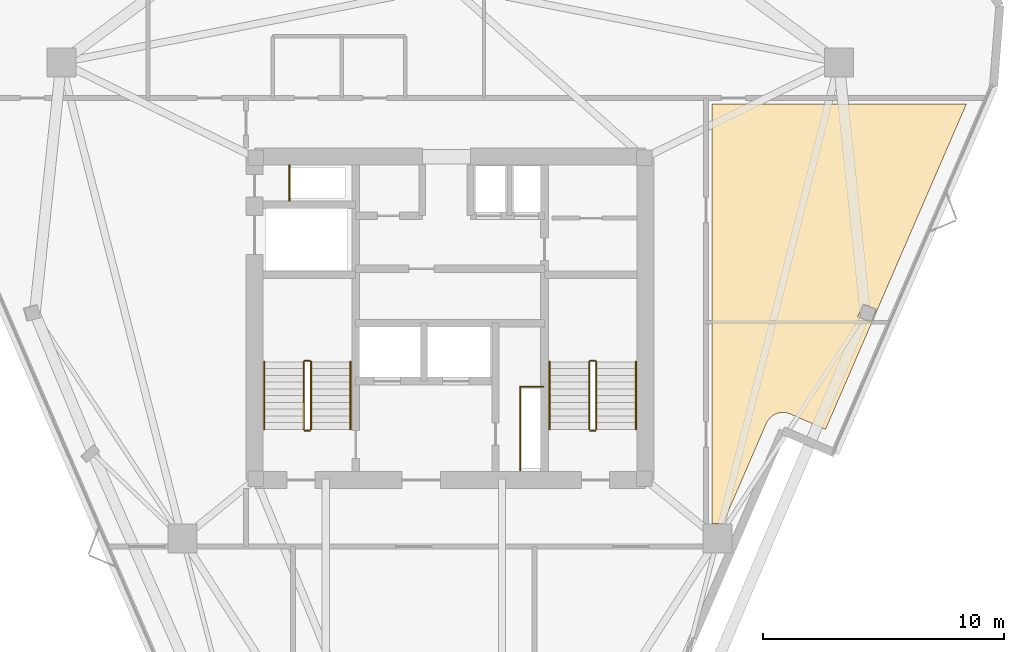
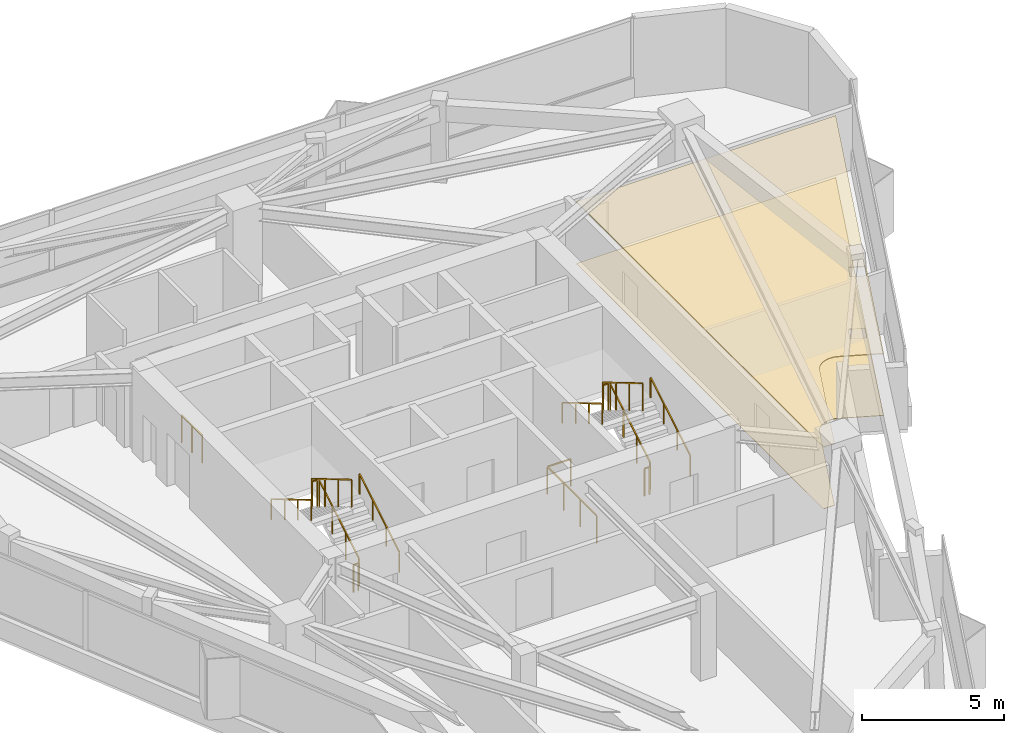
# One storey, part 10 of 10: 14 railings, 2 coverings.
"""IFC4 building model written with IfcOpenShell, lengths in metres."""

from ifc_helpers import new_model, si_unit, direction, frame, origin, origin_2d, place, context, subcontext, project, spatial, polyline, rectangle, outline, extrude, material, layer, layer_set, type_object, element, save


model = new_model("IFC4")

# Units and contexts
model_context = context("Model", 3, precision=1e-05, world=origin(), true_north=direction((0.0, 1.0)))
body_context = subcontext(model_context, "Body", "Model", "MODEL_VIEW")
ifc_project = project(units=[si_unit("LENGTHUNIT", "METRE"), si_unit("AREAUNIT", "SQUARE_METRE"), si_unit("VOLUMEUNIT", "CUBIC_METRE"), si_unit("PLANEANGLEUNIT", "RADIAN"), si_unit("MASSUNIT", "GRAM", prefix="KILO")], contexts=[model_context])

# Site, building, storey
site_placement = place(None, origin())
site = spatial("IfcSite", under=ifc_project, at=site_placement, CompositionType="ELEMENT")
building_placement = place(site_placement, origin())
building = spatial("IfcBuilding", under=site, at=building_placement, Name="Talyreon Biosciences Tower", CompositionType="ELEMENT")
storey_placement = place(building_placement, frame((0.0, 0.0, 257.14990234375)))
storey = spatial("IfcBuildingStorey", under=building, at=storey_placement, Name="L68", CompositionType="ELEMENT", Elevation=257.14990234375)

# Coverings
ifc_material_1 = material(Name="Cleanable acoustic mineral-fibre ceiling tile", Category="gypsum")
ifc_layer_1 = layer(ifc_material_1, 0.0400390625)
ifc_layer_set_1 = layer_set([ifc_layer_1], Name="Cleanable acoustic mineral-fibre ceiling tile")
covering_type_1 = type_object("IfcCoveringType", Name="AcousticCleanroomCeiling_40", PredefinedType="CEILING", material=ifc_layer_set_1)
covering_1_placement = place(storey_placement, frame((0.0, 0.0, 2.64013671875)))
element("IfcCovering", 1, at=covering_1_placement, inside=storey, type_object=covering_type_1, Name="L68 Acoustic Laboratory Ceiling", PredefinedType="CEILING", context=body_context, shape_type="SweptSolid", body=[
    extrude(outline(polyline([(80.086669921875, 64.038818359375), (80.017578125, 64.064697265625), (79.946533203125, 64.083740234375), (79.8740234375, 64.095703125), (79.800537109375, 64.1005859375), (79.72705078125, 64.09814453125), (79.654052734375, 64.08837890625), (79.58251953125, 64.07177734375), (79.5126953125, 64.048095703125), (79.445556640625, 64.017578125), (79.3818359375, 63.980712890625), (79.322021484375, 63.937744140625), (79.266845703125, 63.88916015625), (79.216552734375, 63.83544921875), (79.171875, 63.777099609375), (79.1328125, 63.714599609375), (79.100341796875, 63.6484375), (77.302734375, 59.495361328125), (76.85009765625, 59.495361328125), (76.85009765625, 76.8798828125), (87.387939453125, 76.8798828125), (81.554931640625, 63.4033203125), (80.086669921875, 64.038818359375)]), holes=[polyline([(83.42041015625, 67.83544921875), (83.65087890625, 68.36767578125), (83.11865234375, 68.59814453125), (82.88818359375, 68.06591796875), (83.42041015625, 67.83544921875)])]), origin(), (0.0, 0.0, 1.0), 0.0400390625),
])
ifc_material_2 = material(Name="Chemical-resistant seamless epoxy resin flooring", Category="plastic")
ifc_layer_2 = layer(ifc_material_2, 0.014892578125)
ifc_layer_set_2 = layer_set([ifc_layer_2], Name="Chemical-resistant seamless epoxy resin flooring")
covering_type_2 = type_object("IfcCoveringType", Name="SeamlessEpoxyLabFlooring_15", PredefinedType="FLOORING", material=ifc_layer_set_2)
covering_2_placement = place(storey_placement, origin())
element("IfcCovering", 2, at=covering_2_placement, inside=storey, type_object=covering_type_2, Name="L68 Laboratory Floor Finish", PredefinedType="FLOORING", context=body_context, shape_type="SweptSolid", body=[
    extrude(outline(polyline([(80.086669921875, 64.038818359375), (80.017578125, 64.064697265625), (79.946533203125, 64.083740234375), (79.8740234375, 64.095703125), (79.800537109375, 64.1005859375), (79.72705078125, 64.09814453125), (79.654052734375, 64.08837890625), (79.58251953125, 64.07177734375), (79.5126953125, 64.048095703125), (79.445556640625, 64.017578125), (79.3818359375, 63.980712890625), (79.322021484375, 63.937744140625), (79.266845703125, 63.88916015625), (79.216552734375, 63.83544921875), (79.171875, 63.777099609375), (79.1328125, 63.714599609375), (79.100341796875, 63.6484375), (77.302734375, 59.495361328125), (76.85009765625, 59.495361328125), (76.85009765625, 76.8798828125), (87.387939453125, 76.8798828125), (81.554931640625, 63.4033203125), (80.086669921875, 64.038818359375)]), holes=[polyline([(83.42041015625, 67.83544921875), (83.65087890625, 68.36767578125), (83.11865234375, 68.59814453125), (82.88818359375, 68.06591796875), (83.42041015625, 67.83544921875)])]), origin(), (0.0, 0.0, 1.0), 0.01513671875),
])

# Railings
ifc_material_3 = material(Name="Brushed stainless-steel tubular handrail", Category="steel")
railing_type_1 = type_object("IfcRailingType", Name="StairWallHandrail_900", PredefinedType="HANDRAIL", material=ifc_material_3)
railing_1_placement = place(storey_placement, frame((61.8798828125, 63.39990234375, 0.166015625)))
element("IfcRailing", 3, at=railing_1_placement, inside=storey, type_object=railing_type_1, Name="L68 ST-1 stair handrail 1", PredefinedType="HANDRAIL", context=body_context, shape_type="SweptSolid", body=[
    extrude(rectangle(XDim=0.048095703125, YDim=0.048095703125, at=origin_2d()), frame((0.0, 0.0, 0.8759765625), z_axis=(0.0, 0.860306154799, 0.50977771628), x_axis=(-1.0, 0.0, 0.0)), (0.0, 0.0, 1.0), 3.254638671875),
    extrude(rectangle(XDim=0.0419921875, YDim=0.0419921875, at=origin_2d()), origin(), (0.0, 0.0, 1.0), 0.851806640625),
    extrude(rectangle(XDim=0.0419921875, YDim=0.0419921875, at=origin_2d()), frame((0.0, 0.933349609375, 0.552978515625)), (0.0, 0.0, 1.0), 0.851806640625),
    extrude(rectangle(XDim=0.0419921875, YDim=0.0419921875, at=origin_2d()), frame((0.0, 1.86669921875, 1.106201171875)), (0.0, 0.0, 1.0), 0.851806640625),
    extrude(rectangle(XDim=0.0419921875, YDim=0.0419921875, at=origin_2d()), frame((0.0, 2.800048828125, 1.6591796875)), (0.0, 0.0, 1.0), 0.851806640625),
])
railing_2_placement = place(storey_placement, frame((58.300048828125, 66.199951171875, 1.990966796875)))
element("IfcRailing", 4, at=railing_2_placement, inside=storey, type_object=railing_type_1, Name="L68 ST-1 stair handrail 2", PredefinedType="HANDRAIL", context=body_context, shape_type="SweptSolid", body=[
    extrude(rectangle(XDim=0.048095703125, YDim=0.048095703125, at=origin_2d()), frame((0.0, 0.0, 0.8759765625), z_axis=(0.0, -0.860306154799, 0.50977771628), x_axis=(1.0, 0.0, 0.0)), (0.0, 0.0, 1.0), 3.254638671875),
    extrude(rectangle(XDim=0.0419921875, YDim=0.0419921875, at=origin_2d()), origin(), (0.0, 0.0, 1.0), 0.851806640625),
    extrude(rectangle(XDim=0.0419921875, YDim=0.0419921875, at=origin_2d()), frame((0.0, -0.933349609375, 0.552978515625)), (0.0, 0.0, 1.0), 0.851806640625),
    extrude(rectangle(XDim=0.0419921875, YDim=0.0419921875, at=origin_2d()), frame((0.0, -1.86669921875, 1.106201171875)), (0.0, 0.0, 1.0), 0.851806640625),
    extrude(rectangle(XDim=0.0419921875, YDim=0.0419921875, at=origin_2d()), frame((0.0, -2.800048828125, 1.6591796875)), (0.0, 0.0, 1.0), 0.851806640625),
])
railing_3_placement = place(storey_placement, frame((73.699951171875, 63.39990234375, 0.166015625)))
element("IfcRailing", 5, at=railing_3_placement, inside=storey, type_object=railing_type_1, Name="L68 ST-2 stair handrail 1", PredefinedType="HANDRAIL", context=body_context, shape_type="SweptSolid", body=[
    extrude(rectangle(XDim=0.048095703125, YDim=0.048095703125, at=origin_2d()), frame((0.0, 0.0, 0.8759765625), z_axis=(0.0, 0.860306154799, 0.50977771628), x_axis=(-1.0, 0.0, 0.0)), (0.0, 0.0, 1.0), 3.254638671875),
    extrude(rectangle(XDim=0.0419921875, YDim=0.0419921875, at=origin_2d()), origin(), (0.0, 0.0, 1.0), 0.851806640625),
    extrude(rectangle(XDim=0.0419921875, YDim=0.0419921875, at=origin_2d()), frame((0.0, 0.933349609375, 0.552978515625)), (0.0, 0.0, 1.0), 0.851806640625),
    extrude(rectangle(XDim=0.0419921875, YDim=0.0419921875, at=origin_2d()), frame((0.0, 1.86669921875, 1.106201171875)), (0.0, 0.0, 1.0), 0.851806640625),
    extrude(rectangle(XDim=0.0419921875, YDim=0.0419921875, at=origin_2d()), frame((0.0, 2.800048828125, 1.6591796875)), (0.0, 0.0, 1.0), 0.851806640625),
])
railing_4_placement = place(storey_placement, frame((70.1201171875, 66.199951171875, 1.990966796875)))
element("IfcRailing", 6, at=railing_4_placement, inside=storey, type_object=railing_type_1, Name="L68 ST-2 stair handrail 2", PredefinedType="HANDRAIL", context=body_context, shape_type="SweptSolid", body=[
    extrude(rectangle(XDim=0.048095703125, YDim=0.048095703125, at=origin_2d()), frame((0.0, 0.0, 0.8759765625), z_axis=(0.0, -0.860306154799, 0.50977771628), x_axis=(1.0, 0.0, 0.0)), (0.0, 0.0, 1.0), 3.254638671875),
    extrude(rectangle(XDim=0.0419921875, YDim=0.0419921875, at=origin_2d()), origin(), (0.0, 0.0, 1.0), 0.851806640625),
    extrude(rectangle(XDim=0.0419921875, YDim=0.0419921875, at=origin_2d()), frame((0.0, -0.933349609375, 0.552978515625)), (0.0, 0.0, 1.0), 0.851806640625),
    extrude(rectangle(XDim=0.0419921875, YDim=0.0419921875, at=origin_2d()), frame((0.0, -1.86669921875, 1.106201171875)), (0.0, 0.0, 1.0), 0.851806640625),
    extrude(rectangle(XDim=0.0419921875, YDim=0.0419921875, at=origin_2d()), frame((0.0, -2.800048828125, 1.6591796875)), (0.0, 0.0, 1.0), 0.851806640625),
])
ifc_material_4 = material(Name="Painted galvanised steel post-and-rail balustrade", Category="steel")
railing_type_2 = type_object("IfcRailingType", Name="TerraceStairGuard_1200", PredefinedType="GUARDRAIL", material=ifc_material_4)
railing_5_placement = place(storey_placement, frame((60.239990234375, 63.39990234375, 0.166015625)))
element("IfcRailing", 7, at=railing_5_placement, inside=storey, type_object=railing_type_2, Name="L68 ST-1 stair guard 1", PredefinedType="GUARDRAIL", context=body_context, shape_type="SweptSolid", body=[
    extrude(rectangle(XDim=0.048095703125, YDim=0.048095703125, at=origin_2d()), frame((0.0, 0.0, 1.17578125), z_axis=(0.0, 0.860306154799, 0.50977771628), x_axis=(-1.0, 0.0, 0.0)), (0.0, 0.0, 1.0), 3.254638671875),
    extrude(rectangle(XDim=0.0419921875, YDim=0.0419921875, at=origin_2d()), origin(), (0.0, 0.0, 1.0), 1.15185546875),
    extrude(rectangle(XDim=0.0419921875, YDim=0.0419921875, at=origin_2d()), frame((0.0, 0.933349609375, 0.552978515625)), (0.0, 0.0, 1.0), 1.15185546875),
    extrude(rectangle(XDim=0.0419921875, YDim=0.0419921875, at=origin_2d()), frame((0.0, 1.86669921875, 1.106201171875)), (0.0, 0.0, 1.0), 1.15185546875),
    extrude(rectangle(XDim=0.0419921875, YDim=0.0419921875, at=origin_2d()), frame((0.0, 2.800048828125, 1.6591796875)), (0.0, 0.0, 1.0), 1.15185546875),
])
railing_6_placement = place(storey_placement, frame((60.18994140625, 66.25, 1.8251953125)))
element("IfcRailing", 8, at=railing_6_placement, inside=storey, type_object=railing_type_2, Name="L68 ST-1 stair guard 2", PredefinedType="GUARDRAIL", context=body_context, shape_type="SweptSolid", body=[
    extrude(rectangle(XDim=0.048095703125, YDim=0.048095703125, at=origin_2d()), frame((0.0, 0.0, 1.17578125), z_axis=(-1.0, 0.0, 0.0), x_axis=(0.0, -1.0, 0.0)), (0.0, 0.0, 1.0), 0.199951171875),
    extrude(rectangle(XDim=0.0419921875, YDim=0.0419921875, at=origin_2d()), origin(), (0.0, 0.0, 1.0), 1.15185546875),
    extrude(rectangle(XDim=0.0419921875, YDim=0.0419921875, at=origin_2d()), frame((-0.199951171875, 0.0, 0.0)), (0.0, 0.0, 1.0), 1.15185546875),
])
railing_7_placement = place(storey_placement, frame((59.93994140625, 66.199951171875, 1.990966796875)))
element("IfcRailing", 9, at=railing_7_placement, inside=storey, type_object=railing_type_2, Name="L68 ST-1 stair guard 3", PredefinedType="GUARDRAIL", context=body_context, shape_type="SweptSolid", body=[
    extrude(rectangle(XDim=0.048095703125, YDim=0.048095703125, at=origin_2d()), frame((0.0, 0.0, 1.17578125), z_axis=(0.0, -0.860306154799, 0.50977771628), x_axis=(1.0, 0.0, 0.0)), (0.0, 0.0, 1.0), 3.254638671875),
    extrude(rectangle(XDim=0.0419921875, YDim=0.0419921875, at=origin_2d()), origin(), (0.0, 0.0, 1.0), 1.15185546875),
    extrude(rectangle(XDim=0.0419921875, YDim=0.0419921875, at=origin_2d()), frame((0.0, -0.933349609375, 0.552978515625)), (0.0, 0.0, 1.0), 1.15185546875),
    extrude(rectangle(XDim=0.0419921875, YDim=0.0419921875, at=origin_2d()), frame((0.0, -1.86669921875, 1.106201171875)), (0.0, 0.0, 1.0), 1.15185546875),
    extrude(rectangle(XDim=0.0419921875, YDim=0.0419921875, at=origin_2d()), frame((0.0, -2.800048828125, 1.6591796875)), (0.0, 0.0, 1.0), 1.15185546875),
])
railing_8_placement = place(storey_placement, frame((60.18994140625, 63.35009765625, 0.0)))
element("IfcRailing", 10, at=railing_8_placement, inside=storey, type_object=railing_type_2, Name="L68 ST-1 stair guard 4", PredefinedType="GUARDRAIL", context=body_context, shape_type="SweptSolid", body=[
    extrude(rectangle(XDim=0.048095703125, YDim=0.048095703125, at=origin_2d()), frame((0.0, 0.0, 1.17578125), z_axis=(-1.0, 0.0, 0.0), x_axis=(0.0, -1.0, 0.0)), (0.0, 0.0, 1.0), 0.199951171875),
    extrude(rectangle(XDim=0.0419921875, YDim=0.0419921875, at=origin_2d()), origin(), (0.0, 0.0, 1.0), 1.15185546875),
    extrude(rectangle(XDim=0.0419921875, YDim=0.0419921875, at=origin_2d()), frame((-0.199951171875, 0.0, 0.0)), (0.0, 0.0, 1.0), 1.15185546875),
])
railing_9_placement = place(storey_placement, frame((72.06005859375, 63.39990234375, 0.166015625)))
element("IfcRailing", 11, at=railing_9_placement, inside=storey, type_object=railing_type_2, Name="L68 ST-2 stair guard 1", PredefinedType="GUARDRAIL", context=body_context, shape_type="SweptSolid", body=[
    extrude(rectangle(XDim=0.048095703125, YDim=0.048095703125, at=origin_2d()), frame((0.0, 0.0, 1.17578125), z_axis=(0.0, 0.860306154799, 0.50977771628), x_axis=(-1.0, 0.0, 0.0)), (0.0, 0.0, 1.0), 3.254638671875),
    extrude(rectangle(XDim=0.0419921875, YDim=0.0419921875, at=origin_2d()), origin(), (0.0, 0.0, 1.0), 1.15185546875),
    extrude(rectangle(XDim=0.0419921875, YDim=0.0419921875, at=origin_2d()), frame((0.0, 0.933349609375, 0.552978515625)), (0.0, 0.0, 1.0), 1.15185546875),
    extrude(rectangle(XDim=0.0419921875, YDim=0.0419921875, at=origin_2d()), frame((0.0, 1.86669921875, 1.106201171875)), (0.0, 0.0, 1.0), 1.15185546875),
    extrude(rectangle(XDim=0.0419921875, YDim=0.0419921875, at=origin_2d()), frame((0.0, 2.800048828125, 1.6591796875)), (0.0, 0.0, 1.0), 1.15185546875),
])
railing_10_placement = place(storey_placement, frame((72.010009765625, 66.25, 1.8251953125)))
element("IfcRailing", 12, at=railing_10_placement, inside=storey, type_object=railing_type_2, Name="L68 ST-2 stair guard 2", PredefinedType="GUARDRAIL", context=body_context, shape_type="SweptSolid", body=[
    extrude(rectangle(XDim=0.048095703125, YDim=0.048095703125, at=origin_2d()), frame((0.0, 0.0, 1.17578125), z_axis=(-1.0, 0.0, 0.0), x_axis=(0.0, -1.0, 0.0)), (0.0, 0.0, 1.0), 0.199951171875),
    extrude(rectangle(XDim=0.0419921875, YDim=0.0419921875, at=origin_2d()), origin(), (0.0, 0.0, 1.0), 1.15185546875),
    extrude(rectangle(XDim=0.0419921875, YDim=0.0419921875, at=origin_2d()), frame((-0.199951171875, 0.0, 0.0)), (0.0, 0.0, 1.0), 1.15185546875),
])
railing_11_placement = place(storey_placement, frame((71.760009765625, 66.199951171875, 1.990966796875)))
element("IfcRailing", 13, at=railing_11_placement, inside=storey, type_object=railing_type_2, Name="L68 ST-2 stair guard 3", PredefinedType="GUARDRAIL", context=body_context, shape_type="SweptSolid", body=[
    extrude(rectangle(XDim=0.048095703125, YDim=0.048095703125, at=origin_2d()), frame((0.0, 0.0, 1.17578125), z_axis=(0.0, -0.860306154799, 0.50977771628), x_axis=(1.0, 0.0, 0.0)), (0.0, 0.0, 1.0), 3.254638671875),
    extrude(rectangle(XDim=0.0419921875, YDim=0.0419921875, at=origin_2d()), origin(), (0.0, 0.0, 1.0), 1.15185546875),
    extrude(rectangle(XDim=0.0419921875, YDim=0.0419921875, at=origin_2d()), frame((0.0, -0.933349609375, 0.552978515625)), (0.0, 0.0, 1.0), 1.15185546875),
    extrude(rectangle(XDim=0.0419921875, YDim=0.0419921875, at=origin_2d()), frame((0.0, -1.86669921875, 1.106201171875)), (0.0, 0.0, 1.0), 1.15185546875),
    extrude(rectangle(XDim=0.0419921875, YDim=0.0419921875, at=origin_2d()), frame((0.0, -2.800048828125, 1.6591796875)), (0.0, 0.0, 1.0), 1.15185546875),
])
railing_12_placement = place(storey_placement, frame((72.010009765625, 63.35009765625, 0.0)))
element("IfcRailing", 14, at=railing_12_placement, inside=storey, type_object=railing_type_2, Name="L68 ST-2 stair guard 4", PredefinedType="GUARDRAIL", context=body_context, shape_type="SweptSolid", body=[
    extrude(rectangle(XDim=0.048095703125, YDim=0.048095703125, at=origin_2d()), frame((0.0, 0.0, 1.17578125), z_axis=(-1.0, 0.0, 0.0), x_axis=(0.0, -1.0, 0.0)), (0.0, 0.0, 1.0), 0.199951171875),
    extrude(rectangle(XDim=0.0419921875, YDim=0.0419921875, at=origin_2d()), origin(), (0.0, 0.0, 1.0), 1.15185546875),
    extrude(rectangle(XDim=0.0419921875, YDim=0.0419921875, at=origin_2d()), frame((-0.199951171875, 0.0, 0.0)), (0.0, 0.0, 1.0), 1.15185546875),
])
railing_13_placement = place(storey_placement, frame((59.35009765625, 72.8798828125, 0.0)))
element("IfcRailing", 15, at=railing_13_placement, inside=storey, type_object=railing_type_2, Name="L68 Exhaust Riser Maintenance Guardrail", PredefinedType="GUARDRAIL", context=body_context, shape_type="SweptSolid", body=[
    extrude(rectangle(XDim=0.048095703125, YDim=0.048095703125, at=origin_2d()), frame((0.0, 0.0, 1.17578125), z_axis=(0.0, 1.0, 0.0), x_axis=(-1.0, 0.0, 0.0)), (0.0, 0.0, 1.0), 1.4501953125),
    extrude(rectangle(XDim=0.0419921875, YDim=0.0419921875, at=origin_2d()), origin(), (0.0, 0.0, 1.0), 1.15185546875),
    extrude(rectangle(XDim=0.0419921875, YDim=0.0419921875, at=origin_2d()), frame((0.0, 0.72509765625, 0.0)), (0.0, 0.0, 1.0), 1.15185546875),
    extrude(rectangle(XDim=0.0419921875, YDim=0.0419921875, at=origin_2d()), frame((0.0, 1.4501953125, 0.0)), (0.0, 0.0, 1.0), 1.15185546875),
])
railing_14_placement = place(storey_placement, frame((68.909912109375, 61.699951171875, 0.0)))
element("IfcRailing", 16, at=railing_14_placement, inside=storey, type_object=railing_type_2, Name="L68 Electrical Riser Maintenance Guardrail", PredefinedType="GUARDRAIL", context=body_context, shape_type="SweptSolid", body=[
    extrude(rectangle(XDim=0.048095703125, YDim=0.048095703125, at=origin_2d()), frame((0.0, 0.0, 1.17578125), z_axis=(0.0, 1.0, 0.0), x_axis=(-1.0, 0.0, 0.0)), (0.0, 0.0, 1.0), 3.4599609375),
    extrude(rectangle(XDim=0.048095703125, YDim=0.048095703125, at=origin_2d()), frame((0.0, 3.4599609375, 1.17578125), z_axis=(1.0, 0.0, 0.0), x_axis=(0.0, 1.0, 0.0)), (0.0, 0.0, 1.0), 0.9501953125),
    extrude(rectangle(XDim=0.0419921875, YDim=0.0419921875, at=origin_2d()), origin(), (0.0, 0.0, 1.0), 1.15185546875),
    extrude(rectangle(XDim=0.0419921875, YDim=0.0419921875, at=origin_2d()), frame((0.0, 1.1533203125, 0.0)), (0.0, 0.0, 1.0), 1.15185546875),
    extrude(rectangle(XDim=0.0419921875, YDim=0.0419921875, at=origin_2d()), frame((0.0, 2.306640625, 0.0)), (0.0, 0.0, 1.0), 1.15185546875),
    extrude(rectangle(XDim=0.0419921875, YDim=0.0419921875, at=origin_2d()), frame((0.0, 3.4599609375, 0.0)), (0.0, 0.0, 1.0), 1.15185546875),
    extrude(rectangle(XDim=0.0419921875, YDim=0.0419921875, at=origin_2d()), frame((0.9501953125, 3.4599609375, 0.0)), (0.0, 0.0, 1.0), 1.15185546875),
])

save(model, "model.ifc")
